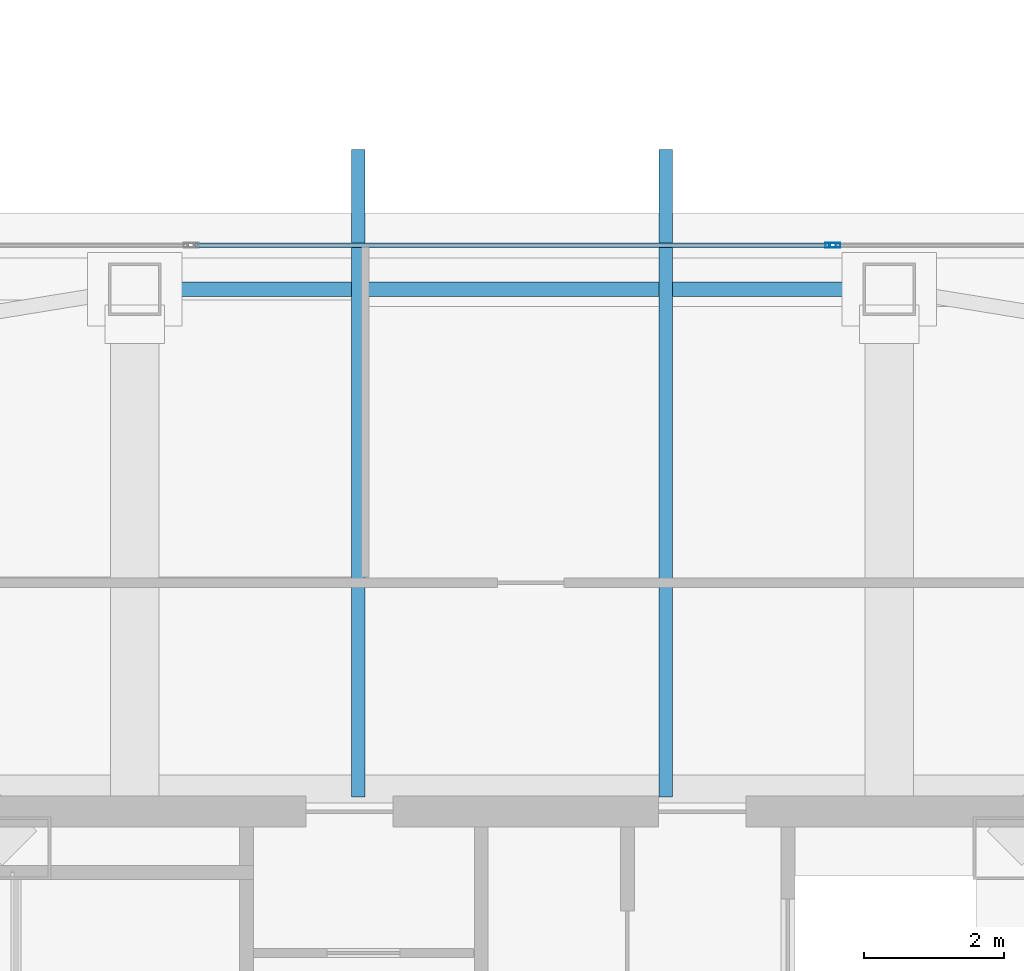
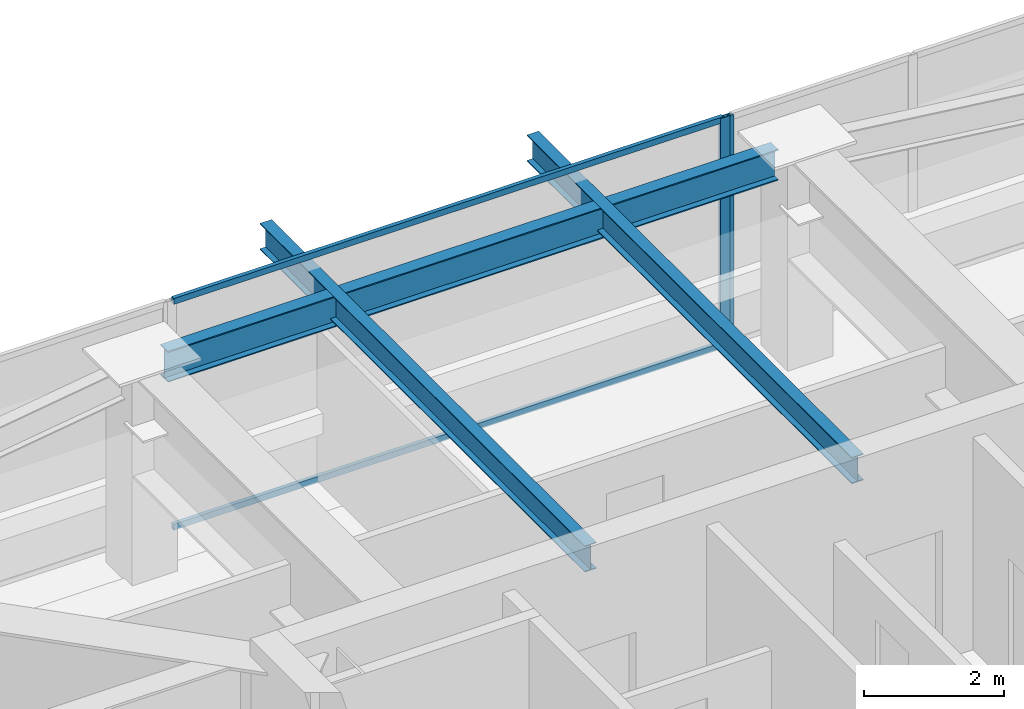
# One storey, part 18 of 51: 4 members, 3 beams, 2 elements without a shape of their own.
"""IFC4 building model written with IfcOpenShell, lengths in metres."""

from ifc_helpers import new_model, si_unit, direction, frame, origin, origin_2d, place, context, subcontext, project, spatial, hollow_rectangle, i_section, extrude, material, material_profile, profile_set, type_object, element, aggregate, save


model = new_model("IFC4")

# Units and contexts
model_context = context("Model", 3, precision=1e-05, world=origin(), true_north=direction((0.0, 1.0)))
body_context = subcontext(model_context, "Body", "Model", "MODEL_VIEW")
ifc_project = project(units=[si_unit("LENGTHUNIT", "METRE"), si_unit("AREAUNIT", "SQUARE_METRE"), si_unit("VOLUMEUNIT", "CUBIC_METRE"), si_unit("PLANEANGLEUNIT", "RADIAN"), si_unit("MASSUNIT", "GRAM", prefix="KILO")], contexts=[model_context])

# Site, building, storey
site_placement = place(None, origin())
site = spatial("IfcSite", under=ifc_project, at=site_placement, CompositionType="ELEMENT")
building_placement = place(site_placement, origin())
building = spatial("IfcBuilding", under=site, at=building_placement, Name="Tashvorn Skyway Center", CompositionType="ELEMENT")
storey_placement = place(building_placement, frame((0.0, 0.0, 259.39990234375)))
storey = spatial("IfcBuildingStorey", under=building, at=storey_placement, Name="L70", CompositionType="ELEMENT", Elevation=259.39990234375)

# Beams
ifc_material_1 = material(Name="Steel ASTM A992 Grade 50", Category="steel")
ifc_material_profile_1 = material_profile(ifc_material_1, i_section(OverallWidth=0.19091796875, OverallDepth=0.4599609375, WebThickness=0.010009765625, FlangeThickness=0.01611328125, at=origin_2d()), Name="W18X55")
ifc_profile_set_1 = profile_set([ifc_material_profile_1], Name="Steel ASTM A992 Grade 50")
beam_type_1 = type_object("IfcBeamType", Name="BM-JOIST-W18X55", PredefinedType="JOIST", material=ifc_profile_set_1)
for number, where, z_axis, x_axis, name in (
    (1, (39.800048828125, 39.780029296875, 3.47021484375), (0.0, 1.0, 0.0), (-1.0, 0.0, 0.0), "Tower 1 L71 Terrace Cantilever Outlooker 1"),
    (2, (44.199951171875, 39.780029296875, 3.47021484375), (0.0, 1.0, 0.0), (-1.0, 0.0, 0.0), "Tower 1 L71 Terrace Cantilever Outlooker 2"),
):
    element("IfcBeam", number, at=place(storey_placement, frame(where, z_axis=z_axis, x_axis=x_axis)), inside=storey, type_object=beam_type_1, Name=name, PredefinedType="JOIST", context=body_context, shape_type="SweptSolid", body=[
        extrude(i_section(OverallWidth=0.19091796875, OverallDepth=0.4599609375, WebThickness=0.010009765625, FlangeThickness=0.01611328125, at=origin_2d()), origin(), (0.0, 0.0, 1.0), 9.27001953125),
    ])
ifc_material_profile_2 = material_profile(ifc_material_1, i_section(OverallWidth=0.2109375, OverallDepth=0.5390625, WebThickness=0.01171875, FlangeThickness=0.018798828125, at=origin_2d()), Name="W21X73")
ifc_profile_set_2 = profile_set([ifc_material_profile_2], Name="Steel ASTM A992 Grade 50")
beam_type_2 = type_object("IfcBeamType", Name="BM-SPANDREL-W21X73", PredefinedType="SPANDREL", material=ifc_profile_set_2)
beam_placement = place(storey_placement, frame((47.030029296875, 47.050048828125, 3.4306640625), z_axis=(-1.0, 0.0, 0.0), x_axis=(0.0, -1.0, 0.0)))
element("IfcBeam", 3, at=beam_placement, inside=storey, type_object=beam_type_2, Name="Tower 1 L70 Spandrel Beam 08", PredefinedType="SPANDREL", context=body_context, shape_type="SweptSolid", body=[
    extrude(i_section(OverallWidth=0.2109375, OverallDepth=0.5390625, WebThickness=0.01171875, FlangeThickness=0.018798828125, at=origin_2d()), origin(), (0.0, 0.0, 1.0), 10.06005859375),
])

# Curtain wall, member
ifc_material_2 = material(Name="Thermally broken bronze-anodized aluminium 6063-T6", Category="aluminium")
curtain_wall_type = type_object("IfcCurtainWallType", Name="CW-CW-SKY", PredefinedType="NOTDEFINED", material=ifc_material_2)
curtain_wall_1_placement = place(storey_placement, origin())
curtain_wall_1 = element("IfcCurtainWall", 4, at=curtain_wall_1_placement, inside=storey, type_object=curtain_wall_type, Name="Tower 1 L70 North Unitised Curtain Wall Glazing Group 2", PredefinedType="NOTDEFINED")
ifc_material_profile_3 = material_profile(ifc_material_2, hollow_rectangle(XDim=0.06494140625, YDim=0.14990234375, WallThickness=0.00390625, at=origin_2d()), Name="ALU-MULL-65x150")
ifc_profile_set_3 = profile_set([ifc_material_profile_3], Name="Thermally broken bronze-anodized aluminium 6063-T6")
member_type_1 = type_object("IfcMemberType", Name="CWM-CW-SKY", PredefinedType="MULLION", material=ifc_profile_set_3)
member_1_placement = place(storey_placement, frame((46.560791015625, 47.679931640625, 0.0), z_axis=(0.0, 0.0, 1.0), x_axis=(0.0, 1.0, 0.0)))
member_1 = element("IfcMember", 5, at=member_1_placement, type_object=member_type_1, Name="CW-SKY mullion 2", PredefinedType="MULLION", context=body_context, shape_type="SweptSolid", body=[
    extrude(hollow_rectangle(XDim=0.06494140625, YDim=0.14990234375, WallThickness=0.00390625, at=origin_2d()), origin(), (0.0, 0.0, 1.0), 4.0),
])

curtain_wall_2_placement = place(storey_placement, origin())
curtain_wall_2 = element("IfcCurtainWall", 6, at=curtain_wall_2_placement, inside=storey, type_object=curtain_wall_type, Name="Tower 1 L70 North Unitised Curtain Wall Glazing Group 3", PredefinedType="NOTDEFINED")
member_2_placement = place(storey_placement, frame((46.625732421875, 47.679931640625, 0.0), z_axis=(0.0, 0.0, 1.0), x_axis=(0.0, 1.0, 0.0)))
member_2 = element("IfcMember", 7, at=member_2_placement, type_object=member_type_1, Name="CW-SKY mullion 1", PredefinedType="MULLION", context=body_context, shape_type="SweptSolid", body=[
    extrude(hollow_rectangle(XDim=0.06494140625, YDim=0.14990234375, WallThickness=0.00390625, at=origin_2d()), origin(), (0.0, 0.0, 1.0), 4.0),
])
aggregate(curtain_wall_2, [member_2])

# Member
ifc_material_profile_4 = material_profile(ifc_material_2, hollow_rectangle(XDim=0.06494140625, YDim=0.10498046875, WallThickness=0.00390625, at=origin_2d()), Name="ALU-TRAN-65x105")
ifc_profile_set_4 = profile_set([ifc_material_profile_4], Name="Thermally broken bronze-anodized aluminium 6063-T6")
member_type_2 = type_object("IfcMemberType", Name="CWT-CW-SKY", PredefinedType="USERDEFINED", material=ifc_profile_set_4)
member_3_placement = place(storey_placement, frame((37.4716796875, 47.679931640625, 0.03271484375), z_axis=(1.0, 0.0, 0.0), x_axis=(0.0, 1.0, 0.0)))
member_3 = element("IfcMember", 8, at=member_3_placement, type_object=member_type_2, Name="CW-SKY transom 1.1", ObjectType="TRANSOM", PredefinedType="USERDEFINED", context=body_context, shape_type="SweptSolid", body=[
    extrude(hollow_rectangle(XDim=0.06494140625, YDim=0.10498046875, WallThickness=0.00390625, at=origin_2d()), origin(), (0.0, 0.0, 1.0), 9.056640625),
])

member_4_placement = place(storey_placement, frame((37.4716796875, 47.679931640625, 3.967529296875), z_axis=(1.0, 0.0, 0.0), x_axis=(0.0, 1.0, 0.0)))
member_4 = element("IfcMember", 9, at=member_4_placement, type_object=member_type_2, Name="CW-SKY transom 1.2", ObjectType="TRANSOM", PredefinedType="USERDEFINED", context=body_context, shape_type="SweptSolid", body=[
    extrude(hollow_rectangle(XDim=0.06494140625, YDim=0.10498046875, WallThickness=0.00390625, at=origin_2d()), origin(), (0.0, 0.0, 1.0), 9.056640625),
])

aggregate(curtain_wall_1, [member_1, member_3, member_4])

save(model, "model.ifc")
